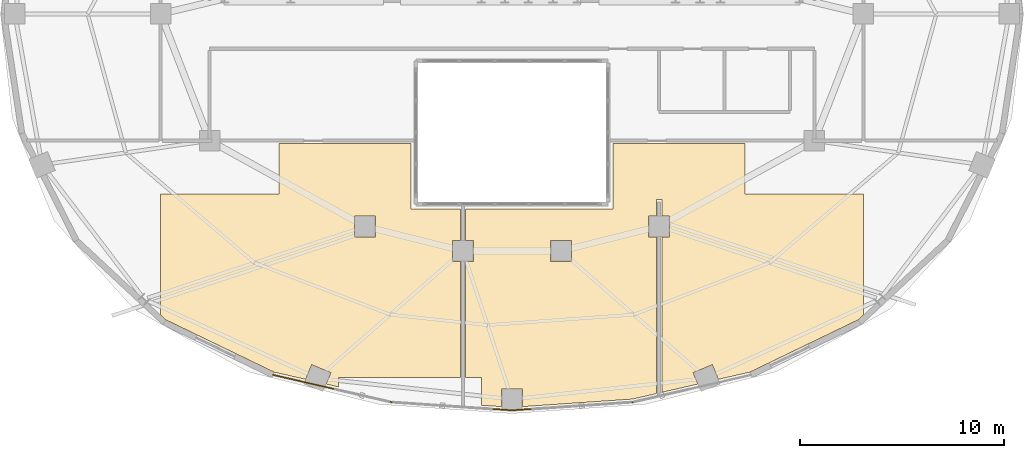
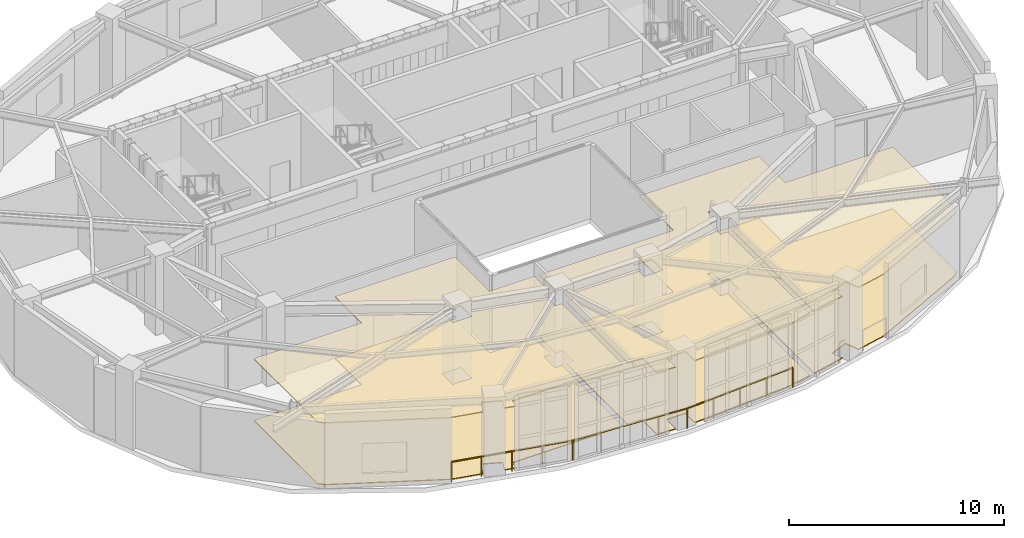
# One storey, part 10 of 11: 4 coverings, 3 railings.
"""IFC4 building model written with IfcOpenShell, lengths in metres."""

from ifc_helpers import new_model, si_unit, direction, frame, origin, origin_2d, place, context, subcontext, project, spatial, polyline, rectangle, outline, extrude, material, layer, layer_set, type_object, element, save


model = new_model("IFC4")

# Units and contexts
model_context = context("Model", 3, precision=1e-05, world=origin(), true_north=direction((0.0, 1.0)))
body_context = subcontext(model_context, "Body", "Model", "MODEL_VIEW")
ifc_project = project(units=[si_unit("LENGTHUNIT", "METRE"), si_unit("AREAUNIT", "SQUARE_METRE"), si_unit("VOLUMEUNIT", "CUBIC_METRE"), si_unit("PLANEANGLEUNIT", "RADIAN"), si_unit("MASSUNIT", "GRAM", prefix="KILO")], contexts=[model_context])

# Site, building, storey
site_placement = place(None, origin())
site = spatial("IfcSite", under=ifc_project, at=site_placement, CompositionType="ELEMENT")
building_placement = place(site_placement, origin())
building = spatial("IfcBuilding", under=site, at=building_placement, Name="Haldorwick Loom Tower", CompositionType="ELEMENT")
storey_placement = place(building_placement, frame((0.0, 0.0, 247.800048828125)))
storey = spatial("IfcBuildingStorey", under=building, at=storey_placement, Name="L67", CompositionType="ELEMENT", Elevation=247.800048828125)

# Coverings
ifc_material_1 = material(Name="Mineral Fibre Acoustic Ceiling Tile")
ifc_layer_1 = layer(ifc_material_1, 0.054931640625, Name="Mineral Fibre Acoustic Ceiling Tile")
ifc_layer_set_1 = layer_set([ifc_layer_1], Name="Mineral Fibre Acoustic Ceiling Tile")
covering_type_1 = type_object("IfcCoveringType", Name="ARC-COV-CEIL2", PredefinedType="CEILING", material=ifc_layer_set_1)
covering_1_placement = place(storey_placement, frame((0.0, 0.0, 3.509033203125)))
element("IfcCovering", 1, at=covering_1_placement, inside=storey, type_object=covering_type_1, Name="L67 Acoustic Suspended Ceiling 1", PredefinedType="CEILING", context=body_context, shape_type="SweptSolid", body=[
    extrude(outline(polyline([(53.199951171875, 11.2705078125), (53.199951171875, 17.199951171875), (47.39990234375, 17.199951171875), (47.39990234375, 19.669921875), (40.949951171875, 19.669921875), (40.949951171875, 16.449951171875), (33.72998046875, 16.449951171875), (33.72998046875, 14.907958984375), (34.10791015625, 14.907958984375), (34.10791015625, 13.89208984375), (33.72998046875, 13.89208984375), (33.72998046875, 8.199951171875), (34.5, 8.199951171875), (34.5, 6.848388671875), (35.491943359375, 6.7802734375), (35.491943359375, 7.64794921875), (36.508056640625, 7.64794921875), (36.508056640625, 6.7802734375), (41.898193359375, 7.14990234375), (43.070068359375, 7.41943359375), (43.070068359375, 15.092041015625), (42.69189453125, 15.092041015625), (42.69189453125, 16.10791015625), (43.070068359375, 16.10791015625), (43.070068359375, 16.909912109375), (43.070068359375, 16.912109375), (43.0703125, 16.913818359375), (43.07080078125, 16.915771484375), (43.071533203125, 16.917724609375), (43.072509765625, 16.91943359375), (43.073486328125, 16.921142578125), (43.074462890625, 16.922607421875), (43.075927734375, 16.924072265625), (43.077392578125, 16.925537109375), (43.078857421875, 16.926513671875), (43.08056640625, 16.927490234375), (43.082275390625, 16.928466796875), (43.084228515625, 16.92919921875), (43.086181640625, 16.9296875), (43.087890625, 16.929931640625), (43.090087890625, 16.929931640625), (43.31005859375, 16.929931640625), (43.31201171875, 16.929931640625), (43.31396484375, 16.9296875), (43.31591796875, 16.92919921875), (43.317626953125, 16.928466796875), (43.3193359375, 16.927490234375), (43.321044921875, 16.926513671875), (43.32275390625, 16.925537109375), (43.32421875, 16.924072265625), (43.325439453125, 16.922607421875), (43.32666015625, 16.921142578125), (43.32763671875, 16.91943359375), (43.32861328125, 16.917724609375), (43.3291015625, 16.915771484375), (43.32958984375, 16.913818359375), (43.329833984375, 16.912109375), (43.330078125, 16.909912109375), (43.330078125, 16.10791015625), (43.7080078125, 16.10791015625), (43.7080078125, 15.092041015625), (43.330078125, 15.092041015625), (43.330078125, 7.47900390625), (45.0966796875, 7.885009765625), (44.864990234375, 8.444091796875), (45.8037109375, 8.832763671875), (46.1005859375, 8.115966796875), (47.649658203125, 8.471923828125), (52.936767578125, 11.025390625), (53.199951171875, 11.2705078125)]), holes=[polyline([(38.907958984375, 14.907958984375), (38.907958984375, 13.89208984375), (37.89208984375, 13.89208984375), (37.89208984375, 14.907958984375), (38.907958984375, 14.907958984375)])]), origin(), (0.0, 0.0, 1.0), 0.054931640625),
])
covering_2_placement = place(storey_placement, frame((0.0, 0.0, 3.509033203125)))
element("IfcCovering", 2, at=covering_2_placement, inside=storey, type_object=covering_type_1, Name="L67 Acoustic Suspended Ceiling 2", PredefinedType="CEILING", context=body_context, shape_type="SweptSolid", body=[
    extrude(outline(polyline([(27.5, 7.748046875), (27.5, 8.199951171875), (33.469970703125, 8.199951171875), (33.469970703125, 13.89208984375), (33.092041015625, 13.89208984375), (33.092041015625, 14.907958984375), (33.469970703125, 14.907958984375), (33.469970703125, 16.449951171875), (31.050048828125, 16.449951171875), (31.050048828125, 19.669921875), (24.60009765625, 19.669921875), (24.60009765625, 17.199951171875), (18.800048828125, 17.199951171875), (18.800048828125, 11.2705078125), (19.063232421875, 11.025390625), (24.350341796875, 8.471923828125), (25.8994140625, 8.115966796875), (26.1962890625, 8.832763671875), (27.135009765625, 8.444091796875), (26.9033203125, 7.885009765625), (27.5, 7.748046875)]), holes=[polyline([(29.30810546875, 16.10791015625), (29.30810546875, 15.092041015625), (28.2919921875, 15.092041015625), (28.2919921875, 16.10791015625), (29.30810546875, 16.10791015625)])]), origin(), (0.0, 0.0, 1.0), 0.054931640625),
])
ifc_material_2 = material(Name="Polished Aggregate Terrazzo Finish")
ifc_layer_2 = layer(ifc_material_2, 0.044921875, Name="Polished Aggregate Terrazzo Finish")
ifc_layer_set_2 = layer_set([ifc_layer_2], Name="Polished Aggregate Terrazzo Finish")
covering_type_2 = type_object("IfcCoveringType", Name="ARC-COV-FLOOR2", PredefinedType="FLOORING", material=ifc_layer_set_2)
covering_3_placement = place(storey_placement, origin())
element("IfcCovering", 3, at=covering_3_placement, inside=storey, type_object=covering_type_2, Name="L67 Floor Finish 1", PredefinedType="FLOORING", context=body_context, shape_type="SweptSolid", body=[
    extrude(outline(polyline([(53.199951171875, 11.2705078125), (53.199951171875, 17.199951171875), (47.39990234375, 17.199951171875), (47.39990234375, 19.669921875), (40.949951171875, 19.669921875), (40.949951171875, 16.449951171875), (33.72998046875, 16.449951171875), (33.72998046875, 14.907958984375), (34.10791015625, 14.907958984375), (34.10791015625, 13.89208984375), (33.72998046875, 13.89208984375), (33.72998046875, 8.199951171875), (34.5, 8.199951171875), (34.5, 6.848388671875), (35.491943359375, 6.7802734375), (35.491943359375, 7.64794921875), (36.508056640625, 7.64794921875), (36.508056640625, 6.7802734375), (41.898193359375, 7.14990234375), (43.070068359375, 7.41943359375), (43.070068359375, 15.092041015625), (42.69189453125, 15.092041015625), (42.69189453125, 16.10791015625), (43.070068359375, 16.10791015625), (43.070068359375, 16.909912109375), (43.070068359375, 16.912109375), (43.0703125, 16.913818359375), (43.07080078125, 16.915771484375), (43.071533203125, 16.917724609375), (43.072509765625, 16.91943359375), (43.073486328125, 16.921142578125), (43.074462890625, 16.922607421875), (43.075927734375, 16.924072265625), (43.077392578125, 16.925537109375), (43.078857421875, 16.926513671875), (43.08056640625, 16.927490234375), (43.082275390625, 16.928466796875), (43.084228515625, 16.92919921875), (43.086181640625, 16.9296875), (43.087890625, 16.929931640625), (43.090087890625, 16.929931640625), (43.31005859375, 16.929931640625), (43.31201171875, 16.929931640625), (43.31396484375, 16.9296875), (43.31591796875, 16.92919921875), (43.317626953125, 16.928466796875), (43.3193359375, 16.927490234375), (43.321044921875, 16.926513671875), (43.32275390625, 16.925537109375), (43.32421875, 16.924072265625), (43.325439453125, 16.922607421875), (43.32666015625, 16.921142578125), (43.32763671875, 16.91943359375), (43.32861328125, 16.917724609375), (43.3291015625, 16.915771484375), (43.32958984375, 16.913818359375), (43.329833984375, 16.912109375), (43.330078125, 16.909912109375), (43.330078125, 16.10791015625), (43.7080078125, 16.10791015625), (43.7080078125, 15.092041015625), (43.330078125, 15.092041015625), (43.330078125, 7.47900390625), (45.0966796875, 7.885009765625), (44.864990234375, 8.444091796875), (45.8037109375, 8.832763671875), (46.1005859375, 8.115966796875), (47.649658203125, 8.471923828125), (52.936767578125, 11.025390625), (53.199951171875, 11.2705078125)]), holes=[polyline([(38.907958984375, 14.907958984375), (38.907958984375, 13.89208984375), (37.89208984375, 13.89208984375), (37.89208984375, 14.907958984375), (38.907958984375, 14.907958984375)])]), origin(), (0.0, 0.0, 1.0), 0.044921875),
])
covering_4_placement = place(storey_placement, origin())
element("IfcCovering", 4, at=covering_4_placement, inside=storey, type_object=covering_type_2, Name="L67 Floor Finish 2", PredefinedType="FLOORING", context=body_context, shape_type="SweptSolid", body=[
    extrude(outline(polyline([(27.5, 7.748046875), (27.5, 8.199951171875), (33.469970703125, 8.199951171875), (33.469970703125, 13.89208984375), (33.092041015625, 13.89208984375), (33.092041015625, 14.907958984375), (33.469970703125, 14.907958984375), (33.469970703125, 16.449951171875), (31.050048828125, 16.449951171875), (31.050048828125, 19.669921875), (24.60009765625, 19.669921875), (24.60009765625, 17.199951171875), (18.800048828125, 17.199951171875), (18.800048828125, 11.2705078125), (19.063232421875, 11.025390625), (24.350341796875, 8.471923828125), (25.8994140625, 8.115966796875), (26.1962890625, 8.832763671875), (27.135009765625, 8.444091796875), (26.9033203125, 7.885009765625), (27.5, 7.748046875)]), holes=[polyline([(29.30810546875, 16.10791015625), (29.30810546875, 15.092041015625), (28.2919921875, 15.092041015625), (28.2919921875, 16.10791015625), (29.30810546875, 16.10791015625)])]), origin(), (0.0, 0.0, 1.0), 0.044921875),
])

# Railings
ifc_material_3 = material(Name="Galvanized Steel CSA G40.21 350W", Category="steel")
railing_type = type_object("IfcRailingType", Name="ARC-RLG-BAL115", PredefinedType="BALUSTRADE", material=ifc_material_3)
railing_1_placement = place(storey_placement, frame((24.302001953125, 8.334228515625, 0.0)))
element("IfcRailing", 5, at=railing_1_placement, inside=storey, type_object=railing_type, Name="L67 Curtain-Wall Sill Safety Guardrail 17", PredefinedType="BALUSTRADE", context=body_context, shape_type="SweptSolid", body=[
    extrude(rectangle(XDim=0.048095703125, YDim=0.048095703125, at=origin_2d()), frame((0.0, 0.0, 1.1259765625), z_axis=(0.974589984037, -0.223996345987, 0.0), x_axis=(0.223996345987, 0.974589984037, 0.0)), (0.0, 0.0, 1.0), 5.92919921875),
    extrude(rectangle(XDim=0.0419921875, YDim=0.0419921875, at=origin_2d()), origin(), (0.0, 0.0, 1.0), 1.101806640625),
    extrude(rectangle(XDim=0.0419921875, YDim=0.0419921875, at=origin_2d()), frame((1.444580078125, -0.33203125, 0.0)), (0.0, 0.0, 1.0), 1.101806640625),
    extrude(rectangle(XDim=0.0419921875, YDim=0.0419921875, at=origin_2d()), frame((2.88916015625, -0.6640625, 0.0)), (0.0, 0.0, 1.0), 1.101806640625),
    extrude(rectangle(XDim=0.0419921875, YDim=0.0419921875, at=origin_2d()), frame((4.333984375, -0.99609375, 0.0)), (0.0, 0.0, 1.0), 1.101806640625),
    extrude(rectangle(XDim=0.0419921875, YDim=0.0419921875, at=origin_2d()), frame((5.778564453125, -1.328125, 0.0)), (0.0, 0.0, 1.0), 1.101806640625),
])
railing_2_placement = place(storey_placement, frame((30.08056640625, 7.006103515625, 0.0)))
element("IfcRailing", 6, at=railing_2_placement, inside=storey, type_object=railing_type, Name="L67 Curtain-Wall Sill Safety Guardrail 18", PredefinedType="BALUSTRADE", context=body_context, shape_type="SweptSolid", body=[
    extrude(rectangle(XDim=0.048095703125, YDim=0.048095703125, at=origin_2d()), frame((0.0, 0.0, 1.1259765625), z_axis=(0.997656066566, -0.068427865986, 0.0), x_axis=(0.068427865986, 0.997656066566, 0.0)), (0.0, 0.0, 1.0), 5.933349609375),
    extrude(rectangle(XDim=0.0419921875, YDim=0.0419921875, at=origin_2d()), origin(), (0.0, 0.0, 1.0), 1.101806640625),
    extrude(rectangle(XDim=0.0419921875, YDim=0.0419921875, at=origin_2d()), frame((1.47998046875, -0.1015625, 0.0)), (0.0, 0.0, 1.0), 1.101806640625),
    extrude(rectangle(XDim=0.0419921875, YDim=0.0419921875, at=origin_2d()), frame((2.959716796875, -0.203125, 0.0)), (0.0, 0.0, 1.0), 1.101806640625),
    extrude(rectangle(XDim=0.0419921875, YDim=0.0419921875, at=origin_2d()), frame((4.439453125, -0.304443359375, 0.0)), (0.0, 0.0, 1.0), 1.101806640625),
    extrude(rectangle(XDim=0.0419921875, YDim=0.0419921875, at=origin_2d()), frame((5.91943359375, -0.406005859375, 0.0)), (0.0, 0.0, 1.0), 1.101806640625),
])
railing_3_placement = place(storey_placement, frame((36.0, 6.60009765625, 0.0)))
element("IfcRailing", 7, at=railing_3_placement, inside=storey, type_object=railing_type, Name="L67 Curtain-Wall Sill Safety Guardrail 19", PredefinedType="BALUSTRADE", context=body_context, shape_type="SweptSolid", body=[
    extrude(rectangle(XDim=0.048095703125, YDim=0.048095703125, at=origin_2d()), frame((0.0, 0.0, 1.1259765625), z_axis=(0.997656066566, 0.068427865986, 0.0), x_axis=(-0.068427865986, 0.997656066566, 0.0)), (0.0, 0.0, 1.0), 5.933349609375),
    extrude(rectangle(XDim=0.0419921875, YDim=0.0419921875, at=origin_2d()), origin(), (0.0, 0.0, 1.0), 1.101806640625),
    extrude(rectangle(XDim=0.0419921875, YDim=0.0419921875, at=origin_2d()), frame((1.47998046875, 0.1015625, 0.0)), (0.0, 0.0, 1.0), 1.101806640625),
    extrude(rectangle(XDim=0.0419921875, YDim=0.0419921875, at=origin_2d()), frame((2.959716796875, 0.203125, 0.0)), (0.0, 0.0, 1.0), 1.101806640625),
    extrude(rectangle(XDim=0.0419921875, YDim=0.0419921875, at=origin_2d()), frame((4.439453125, 0.304443359375, 0.0)), (0.0, 0.0, 1.0), 1.101806640625),
    extrude(rectangle(XDim=0.0419921875, YDim=0.0419921875, at=origin_2d()), frame((5.91943359375, 0.406005859375, 0.0)), (0.0, 0.0, 1.0), 1.101806640625),
])

save(model, "model.ifc")
